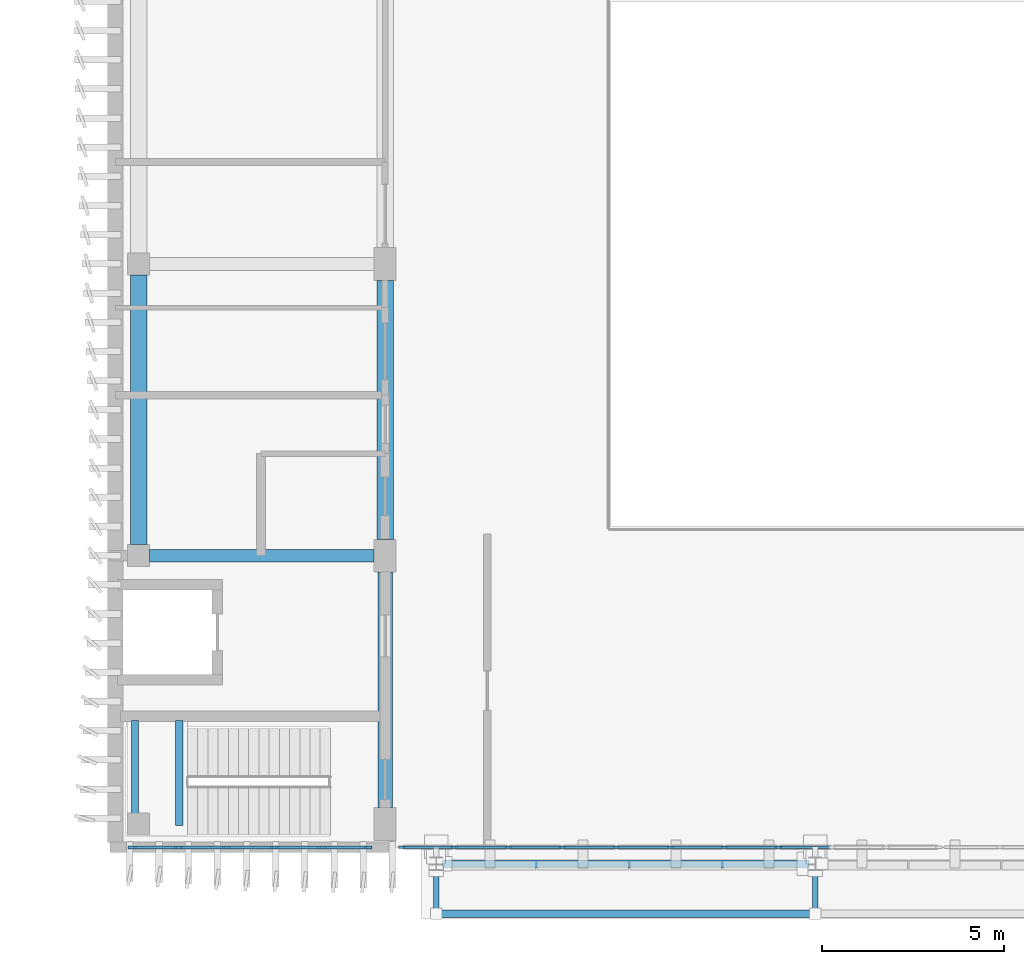
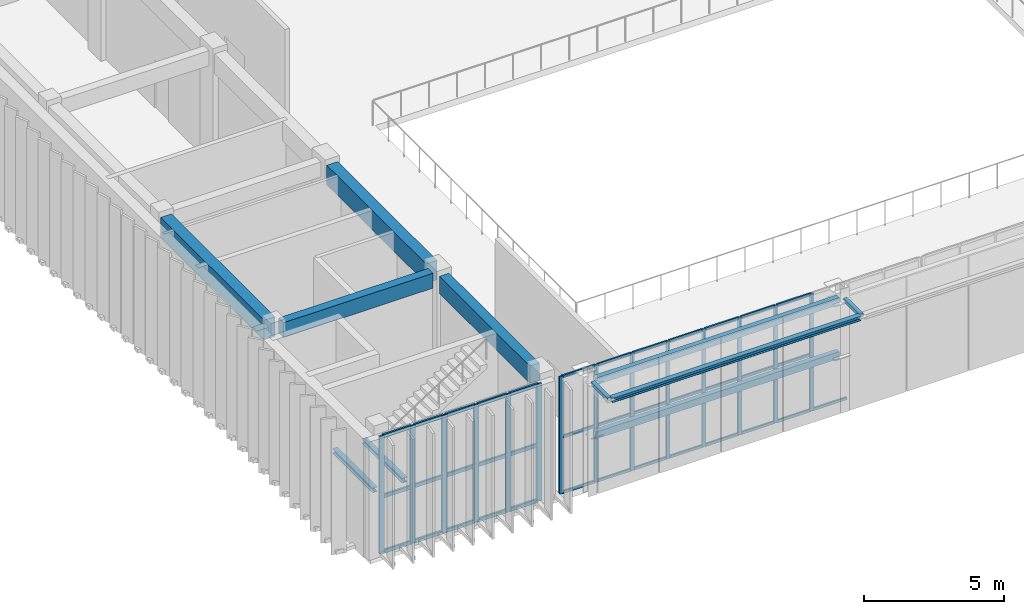
# One storey, part 4 of 64: 55 members, 7 beams, 2 elements without a shape of their own.
"""IFC4 building model written with IfcOpenShell, lengths in metres."""

from ifc_helpers import new_model, si_unit, direction, frame, origin, origin_2d, place, context, subcontext, project, spatial, rectangle, hollow_rectangle, i_section, extrude, material, layer, layer_set, material_profile, profile_set, type_object, element, aggregate, save


model = new_model("IFC4")

# Units and contexts
model_context = context("Model", 3, precision=1e-05, world=origin(), true_north=direction((0.0, 1.0)))
body_context = subcontext(model_context, "Body", "Model", "MODEL_VIEW")
ifc_project = project(units=[si_unit("LENGTHUNIT", "METRE"), si_unit("AREAUNIT", "SQUARE_METRE"), si_unit("VOLUMEUNIT", "CUBIC_METRE"), si_unit("PLANEANGLEUNIT", "RADIAN"), si_unit("MASSUNIT", "GRAM", prefix="KILO")], contexts=[model_context])

# Site, building, storey
site_placement = place(None, origin())
site = spatial("IfcSite", under=ifc_project, at=site_placement, CompositionType="ELEMENT")
building_placement = place(site_placement, origin())
building = spatial("IfcBuilding", under=site, at=building_placement, Name="Cinchona Park Media Centre", CompositionType="ELEMENT")
storey_placement = place(building_placement, frame((0.0, 0.0, 10.199951171875)))
storey = spatial("IfcBuildingStorey", under=building, at=storey_placement, Name="L02", CompositionType="ELEMENT", Elevation=10.199951171875)

# Beams
ifc_material_1 = material(Name="Concrete C35/45", Category="concrete")
ifc_material_profile_1 = material_profile(ifc_material_1, rectangle(XDim=0.39990234375, YDim=0.75, at=origin_2d()), Name="RB 400X750")
ifc_profile_set_1 = profile_set([ifc_material_profile_1], Name="Concrete C35/45")
beam_type_1 = type_object("IfcBeamType", Name="BEAM-B01-RB400X750", PredefinedType="BEAM", material=ifc_profile_set_1)
beam_1_placement = place(storey_placement, frame((15.39990234375, 8.68994140625, 4.78515625), z_axis=(0.0, 1.0, 0.0), x_axis=(-1.0, 0.0, 0.0)))
element("IfcBeam", 1, at=beam_1_placement, inside=storey, type_object=beam_type_1, Name="Girder B01 L02", PredefinedType="BEAM", context=body_context, shape_type="SweptSolid", body=[
    extrude(rectangle(XDim=0.39990234375, YDim=0.75, at=origin_2d()), origin(), (0.0, 0.0, 1.0), 6.4599609375),
])
ifc_material_2 = material(Name="Concrete C35/45", Category="concrete")
ifc_material_profile_2 = material_profile(ifc_material_2, rectangle(XDim=0.449951171875, YDim=0.85009765625, at=origin_2d()), Name="RB 450X850")
ifc_profile_set_2 = profile_set([ifc_material_profile_2], Name="Concrete C35/45")
beam_type_2 = type_object("IfcBeamType", Name="BEAM-B02-RB450X850", PredefinedType="BEAM", material=ifc_profile_set_2)
beam_2_placement = place(storey_placement, frame((8.639892578125, 15.89990234375, 4.735107421875), z_axis=(0.0, 1.0, 0.0), x_axis=(-1.0, 0.0, 0.0)))
element("IfcBeam", 2, at=beam_2_placement, inside=storey, type_object=beam_type_2, Name="Girder B02 L02", PredefinedType="BEAM", context=body_context, shape_type="SweptSolid", body=[
    extrude(rectangle(XDim=0.449951171875, YDim=0.85009765625, at=origin_2d()), origin(), (0.0, 0.0, 1.0), 7.400146484375),
])
beam_3_placement = place(storey_placement, frame((15.39990234375, 16.050048828125, 4.735107421875), z_axis=(0.0, 1.0, 0.0), x_axis=(-1.0, 0.0, 0.0)))
element("IfcBeam", 3, at=beam_3_placement, inside=storey, type_object=beam_type_2, Name="Girder B02 L02", PredefinedType="BEAM", context=body_context, shape_type="SweptSolid", body=[
    extrude(rectangle(XDim=0.449951171875, YDim=0.85009765625, at=origin_2d()), origin(), (0.0, 0.0, 1.0), 7.099853515625),
])
ifc_material_3 = material(Name="Concrete C35/45", Category="concrete")
ifc_material_profile_3 = material_profile(ifc_material_3, rectangle(XDim=0.35009765625, YDim=0.64990234375, at=origin_2d()), Name="RB 350X650")
ifc_profile_set_3 = profile_set([ifc_material_profile_3], Name="Concrete C35/45")
beam_type_3 = type_object("IfcBeamType", Name="BEAM-B04-RB350X650", PredefinedType="BEAM", material=ifc_profile_set_3)
beam_4_placement = place(storey_placement, frame((8.93994140625, 15.60009765625, 4.8349609375), z_axis=(1.0, 0.0, 0.0), x_axis=(0.0, 1.0, 0.0)))
element("IfcBeam", 4, at=beam_4_placement, inside=storey, type_object=beam_type_3, Name="Beam B04 L02", PredefinedType="BEAM", context=body_context, shape_type="SweptSolid", body=[
    extrude(rectangle(XDim=0.35009765625, YDim=0.64990234375, at=origin_2d()), origin(), (0.0, 0.0, 1.0), 6.16015625),
])
ifc_material_4 = material(Name="Steel S355", Category="steel")
ifc_material_profile_4 = material_profile(ifc_material_4, i_section(OverallWidth=0.202880859375, OverallDepth=0.202880859375, WebThickness=0.007080078125, FlangeThickness=0.010986328125, at=origin_2d()), Name="W200X46")
ifc_profile_set_4 = profile_set([ifc_material_profile_4], Name="Steel S355")
beam_type_4 = type_object("IfcBeamType", Name="BEAM-B10-W200X46", PredefinedType="BEAM", material=ifc_profile_set_4)
beam_5_placement = place(storey_placement, frame((16.8798828125, 5.780029296875, 4.89794921875), z_axis=(1.0, 0.0, 0.0), x_axis=(0.0, 1.0, 0.0)))
element("IfcBeam", 5, at=beam_5_placement, inside=storey, type_object=beam_type_4, Name="Screen Canopy Front Fascia Beam B10 L02", PredefinedType="BEAM", context=body_context, shape_type="SweptSolid", body=[
    extrude(i_section(OverallWidth=0.202880859375, OverallDepth=0.202880859375, WebThickness=0.007080078125, FlangeThickness=0.010986328125, at=origin_2d()), origin(), (0.0, 0.0, 1.0), 10.240234375),
])
for number, where, z_axis, x_axis, name in (
    (6, (8.5400390625, 11.074951171875, 2.3935546875), (0.0, -1.0, 0.0), (1.0, 0.0, 0.0), "Stair Landing Bearer Beam B10 ST6 L02"),
    (7, (9.760009765625, 11.074951171875, 2.3935546875), (0.0, -1.0, 0.0), (1.0, 0.0, 0.0), "Stair Landing Bearer Beam B10 ST6 L02"),
):
    element("IfcBeam", number, at=place(storey_placement, frame(where, z_axis=z_axis, x_axis=x_axis)), inside=storey, type_object=beam_type_4, Name=name, PredefinedType="BEAM", context=body_context, shape_type="SweptSolid", body=[
        extrude(i_section(OverallWidth=0.202880859375, OverallDepth=0.202880859375, WebThickness=0.007080078125, FlangeThickness=0.010986328125, at=origin_2d()), origin(), (0.0, 0.0, 1.0), 2.875),
    ])

# Members
ifc_material_5 = material(Name="Steel S355", Category="steel")
ifc_material_profile_5 = material_profile(ifc_material_5, hollow_rectangle(XDim=0.14990234375, YDim=0.14990234375, WallThickness=0.010009765625, at=origin_2d()), Name="150X150X10SHS")
ifc_profile_set_5 = profile_set([ifc_material_profile_5], Name="Steel S355")
member_type_1 = type_object("IfcMemberType", Name="MEMBER-TS03-SHS150X150X10", PredefinedType="STRUT", material=ifc_profile_set_5)
for number, where, z_axis, x_axis, name in (
    (8, (16.800048828125, 5.780029296875, 4.925048828125), (0.0, 1.0, 0.0), (-1.0, 0.0, 0.0), "Screen Canopy Outrigger Strut TS03 L02"),
    (9, (27.199951171875, 5.780029296875, 4.925048828125), (0.0, 1.0, 0.0), (-1.0, 0.0, 0.0), "Screen Canopy Outrigger Strut TS03 L02"),
):
    element("IfcMember", number, at=place(storey_placement, frame(where, z_axis=z_axis, x_axis=x_axis)), inside=storey, type_object=member_type_1, Name=name, PredefinedType="STRUT", context=body_context, shape_type="SweptSolid", body=[
        extrude(hollow_rectangle(XDim=0.14990234375, YDim=0.14990234375, WallThickness=0.010009765625, at=origin_2d()), origin(), (0.0, 0.0, 1.0), 1.179931640625),
    ])
ifc_material_6 = material(Name="Steel S355", Category="steel")
ifc_material_profile_6 = material_profile(ifc_material_6, hollow_rectangle(XDim=0.199951171875, YDim=0.300048828125, WallThickness=0.01611328125, at=origin_2d()), Name="300X200X16RHS")
ifc_profile_set_6 = profile_set([ifc_material_profile_6], Name="Steel S355")
member_type_2 = type_object("IfcMemberType", Name="MEMBER-TS05-RHS300X200X16", PredefinedType="STRUT", material=ifc_profile_set_6)
for number, where, z_axis, x_axis, name in (
    (10, (16.97998046875, 7.14990234375, 2.5), (1.0, 0.0, 0.0), (0.0, 1.0, 0.0), "Entrance Screen Portal Member TS05 L02"),
    (11, (16.97998046875, 7.14990234375, 4.85009765625), (1.0, 0.0, 0.0), (0.0, 1.0, 0.0), "Entrance Screen Portal Member TS05 L02"),
):
    element("IfcMember", number, at=place(storey_placement, frame(where, z_axis=z_axis, x_axis=x_axis)), inside=storey, type_object=member_type_2, Name=name, PredefinedType="STRUT", context=body_context, shape_type="SweptSolid", body=[
        extrude(hollow_rectangle(XDim=0.199951171875, YDim=0.300048828125, WallThickness=0.01611328125, at=origin_2d()), origin(), (0.0, 0.0, 1.0), 10.0400390625),
    ])

# Curtain wall, members
ifc_material_7 = material(Name="Aluminium Curtain Wall Framing", Category="aluminium")
ifc_layer_1 = layer(ifc_material_7, 0.284912109375)
ifc_layer_set_1 = layer_set([ifc_layer_1], Name="Aluminium Curtain Wall Framing")
curtain_wall_type_1 = type_object("IfcCurtainWallType", Name="CW-CW08", PredefinedType="USERDEFINED", material=ifc_layer_set_1)
curtain_wall_1_placement = place(storey_placement, origin())
curtain_wall_1 = element("IfcCurtainWall", 12, at=curtain_wall_1_placement, inside=storey, type_object=curtain_wall_type_1, Name="Curtain Wall CW08 L02", ObjectType="UNITISED CURTAIN WALL", PredefinedType="USERDEFINED")
ifc_material_8 = material(Name="Anodised Aluminium Alloy 6063-T6", Category="aluminium")
ifc_material_profile_7 = material_profile(ifc_material_8, rectangle(XDim=0.06494140625, YDim=0.159912109375, at=origin_2d()), Name="MUL-65X160")
ifc_profile_set_7 = profile_set([ifc_material_profile_7], Name="Anodised Aluminium Alloy 6063-T6")
member_type_3 = type_object("IfcMemberType", Name="MULLION-MUL01", PredefinedType="MULLION", material=ifc_profile_set_7)
member_1_placement = place(storey_placement, frame((26.179931640625, 7.60009765625, 0.050048828125), z_axis=(0.0, 0.0, 1.0), x_axis=(0.0, -1.0, 0.0)))
member_1 = element("IfcMember", 13, at=member_1_placement, type_object=member_type_3, Name="CW08 mullion 4", PredefinedType="MULLION", context=body_context, shape_type="SweptSolid", body=[
    extrude(rectangle(XDim=0.06494140625, YDim=0.159912109375, at=origin_2d()), origin(), (0.0, 0.0, 1.0), 5.110107421875),
])
member_2_placement = place(storey_placement, frame((24.699951171875, 7.60009765625, 0.050048828125), z_axis=(0.0, 0.0, 1.0), x_axis=(0.0, -1.0, 0.0)))
member_2 = element("IfcMember", 14, at=member_2_placement, type_object=member_type_3, Name="CW08 mullion 5", PredefinedType="MULLION", context=body_context, shape_type="SweptSolid", body=[
    extrude(rectangle(XDim=0.06494140625, YDim=0.159912109375, at=origin_2d()), origin(), (0.0, 0.0, 1.0), 5.110107421875),
])
member_3_placement = place(storey_placement, frame((23.219970703125, 7.60009765625, 0.050048828125), z_axis=(0.0, 0.0, 1.0), x_axis=(0.0, -1.0, 0.0)))
member_3 = element("IfcMember", 15, at=member_3_placement, type_object=member_type_3, Name="CW08 mullion 6", PredefinedType="MULLION", context=body_context, shape_type="SweptSolid", body=[
    extrude(rectangle(XDim=0.06494140625, YDim=0.159912109375, at=origin_2d()), origin(), (0.0, 0.0, 1.0), 5.110107421875),
])
member_4_placement = place(storey_placement, frame((21.739990234375, 7.60009765625, 0.050048828125), z_axis=(0.0, 0.0, 1.0), x_axis=(0.0, -1.0, 0.0)))
member_4 = element("IfcMember", 16, at=member_4_placement, type_object=member_type_3, Name="CW08 mullion 7", PredefinedType="MULLION", context=body_context, shape_type="SweptSolid", body=[
    extrude(rectangle(XDim=0.06494140625, YDim=0.159912109375, at=origin_2d()), origin(), (0.0, 0.0, 1.0), 5.110107421875),
])
member_5_placement = place(storey_placement, frame((20.260009765625, 7.60009765625, 0.050048828125), z_axis=(0.0, 0.0, 1.0), x_axis=(0.0, -1.0, 0.0)))
member_5 = element("IfcMember", 17, at=member_5_placement, type_object=member_type_3, Name="CW08 mullion 8", PredefinedType="MULLION", context=body_context, shape_type="SweptSolid", body=[
    extrude(rectangle(XDim=0.06494140625, YDim=0.159912109375, at=origin_2d()), origin(), (0.0, 0.0, 1.0), 5.110107421875),
])
member_6_placement = place(storey_placement, frame((18.780029296875, 7.60009765625, 0.050048828125), z_axis=(0.0, 0.0, 1.0), x_axis=(0.0, -1.0, 0.0)))
member_6 = element("IfcMember", 18, at=member_6_placement, type_object=member_type_3, Name="CW08 mullion 9", PredefinedType="MULLION", context=body_context, shape_type="SweptSolid", body=[
    extrude(rectangle(XDim=0.06494140625, YDim=0.159912109375, at=origin_2d()), origin(), (0.0, 0.0, 1.0), 5.110107421875),
])
member_7_placement = place(storey_placement, frame((17.300048828125, 7.60009765625, 0.050048828125), z_axis=(0.0, 0.0, 1.0), x_axis=(0.0, -1.0, 0.0)))
member_7 = element("IfcMember", 19, at=member_7_placement, type_object=member_type_3, Name="CW08 mullion 10", PredefinedType="MULLION", context=body_context, shape_type="SweptSolid", body=[
    extrude(rectangle(XDim=0.06494140625, YDim=0.159912109375, at=origin_2d()), origin(), (0.0, 0.0, 1.0), 5.110107421875),
])
member_8_placement = place(storey_placement, frame((15.8525390625, 7.60009765625, 0.050048828125), z_axis=(0.0, 0.0, 1.0), x_axis=(0.0, -1.0, 0.0)))
member_8 = element("IfcMember", 20, at=member_8_placement, type_object=member_type_3, Name="CW08 mullion 11", PredefinedType="MULLION", context=body_context, shape_type="SweptSolid", body=[
    extrude(rectangle(XDim=0.06494140625, YDim=0.159912109375, at=origin_2d()), origin(), (0.0, 0.0, 1.0), 5.110107421875),
])

ifc_material_9 = material(Name="Aluminium Curtain Wall Framing", Category="aluminium")
ifc_layer_2 = layer(ifc_material_9, 0.2548828125)
ifc_layer_set_2 = layer_set([ifc_layer_2], Name="Aluminium Curtain Wall Framing")
curtain_wall_type_2 = type_object("IfcCurtainWallType", Name="CW-CW06", PredefinedType="USERDEFINED", material=ifc_layer_set_2)
curtain_wall_2_placement = place(storey_placement, origin())
curtain_wall_2 = element("IfcCurtainWall", 21, at=curtain_wall_2_placement, inside=storey, type_object=curtain_wall_type_2, Name="Curtain Wall CW06 L02", ObjectType="UNITISED CURTAIN WALL", PredefinedType="USERDEFINED")
ifc_material_10 = material(Name="Anodised Aluminium Alloy 6063-T6", Category="aluminium")
ifc_material_profile_8 = material_profile(ifc_material_10, rectangle(XDim=0.074951171875, YDim=0.2099609375, at=origin_2d()), Name="MUL-75X210")
ifc_profile_set_8 = profile_set([ifc_material_profile_8], Name="Anodised Aluminium Alloy 6063-T6")
member_type_4 = type_object("IfcMemberType", Name="MULLION-MUL03", PredefinedType="MULLION", material=ifc_profile_set_8)
member_9_placement = place(storey_placement, frame((14.9423828125, 7.60009765625, 0.050048828125), z_axis=(0.0, 0.0, 1.0), x_axis=(0.0, -1.0, 0.0)))
member_9 = element("IfcMember", 22, at=member_9_placement, type_object=member_type_4, Name="CW06 mullion 1", PredefinedType="MULLION", context=body_context, shape_type="SweptSolid", body=[
    extrude(rectangle(XDim=0.074951171875, YDim=0.2099609375, at=origin_2d()), origin(), (0.0, 0.0, 1.0), 5.110107421875),
])
member_10_placement = place(storey_placement, frame((13.66796875, 7.60009765625, 0.050048828125), z_axis=(0.0, 0.0, 1.0), x_axis=(0.0, -1.0, 0.0)))
member_10 = element("IfcMember", 23, at=member_10_placement, type_object=member_type_4, Name="CW06 mullion 2", PredefinedType="MULLION", context=body_context, shape_type="SweptSolid", body=[
    extrude(rectangle(XDim=0.074951171875, YDim=0.2099609375, at=origin_2d()), origin(), (0.0, 0.0, 1.0), 5.110107421875),
])
member_11_placement = place(storey_placement, frame((12.35595703125, 7.60009765625, 0.050048828125), z_axis=(0.0, 0.0, 1.0), x_axis=(0.0, -1.0, 0.0)))
member_11 = element("IfcMember", 24, at=member_11_placement, type_object=member_type_4, Name="CW06 mullion 3", PredefinedType="MULLION", context=body_context, shape_type="SweptSolid", body=[
    extrude(rectangle(XDim=0.074951171875, YDim=0.2099609375, at=origin_2d()), origin(), (0.0, 0.0, 1.0), 5.110107421875),
])
member_12_placement = place(storey_placement, frame((11.0439453125, 7.60009765625, 0.050048828125), z_axis=(0.0, 0.0, 1.0), x_axis=(0.0, -1.0, 0.0)))
member_12 = element("IfcMember", 25, at=member_12_placement, type_object=member_type_4, Name="CW06 mullion 4", PredefinedType="MULLION", context=body_context, shape_type="SweptSolid", body=[
    extrude(rectangle(XDim=0.074951171875, YDim=0.2099609375, at=origin_2d()), origin(), (0.0, 0.0, 1.0), 5.110107421875),
])
member_13_placement = place(storey_placement, frame((9.73193359375, 7.60009765625, 0.050048828125), z_axis=(0.0, 0.0, 1.0), x_axis=(0.0, -1.0, 0.0)))
member_13 = element("IfcMember", 26, at=member_13_placement, type_object=member_type_4, Name="CW06 mullion 5", PredefinedType="MULLION", context=body_context, shape_type="SweptSolid", body=[
    extrude(rectangle(XDim=0.074951171875, YDim=0.2099609375, at=origin_2d()), origin(), (0.0, 0.0, 1.0), 5.110107421875),
])
member_14_placement = place(storey_placement, frame((8.45751953125, 7.60009765625, 0.050048828125), z_axis=(0.0, 0.0, 1.0), x_axis=(0.0, -1.0, 0.0)))
member_14 = element("IfcMember", 27, at=member_14_placement, type_object=member_type_4, Name="CW06 mullion 6", PredefinedType="MULLION", context=body_context, shape_type="SweptSolid", body=[
    extrude(rectangle(XDim=0.074951171875, YDim=0.2099609375, at=origin_2d()), origin(), (0.0, 0.0, 1.0), 5.110107421875),
])

# Member
ifc_material_11 = material(Name="Anodised Aluminium Alloy 6063-T6", Category="aluminium")
ifc_material_profile_9 = material_profile(ifc_material_11, rectangle(XDim=0.06494140625, YDim=0.1201171875, at=origin_2d()), Name="TRN-65X120")
ifc_profile_set_9 = profile_set([ifc_material_profile_9], Name="Anodised Aluminium Alloy 6063-T6")
member_type_5 = type_object("IfcMemberType", Name="TRANSOM-TRN01", PredefinedType="USERDEFINED", material=ifc_profile_set_9)
member_15_placement = place(storey_placement, frame((27.62744140625, 7.60009765625, 0.08251953125), z_axis=(-1.0, 0.0, 0.0), x_axis=(0.0, -1.0, 0.0)))
member_15 = element("IfcMember", 28, at=member_15_placement, type_object=member_type_5, Name="CW08 transom 3.1", ObjectType="TRANSOM", PredefinedType="USERDEFINED", context=body_context, shape_type="SweptSolid", body=[
    extrude(rectangle(XDim=0.06494140625, YDim=0.1201171875, at=origin_2d()), origin(), (0.0, 0.0, 1.0), 1.4150390625),
])

member_16_placement = place(storey_placement, frame((26.1474609375, 7.60009765625, 0.08251953125), z_axis=(-1.0, 0.0, 0.0), x_axis=(0.0, -1.0, 0.0)))
member_16 = element("IfcMember", 29, at=member_16_placement, type_object=member_type_5, Name="CW08 transom 4.1", ObjectType="TRANSOM", PredefinedType="USERDEFINED", context=body_context, shape_type="SweptSolid", body=[
    extrude(rectangle(XDim=0.06494140625, YDim=0.1201171875, at=origin_2d()), origin(), (0.0, 0.0, 1.0), 1.4150390625),
])

member_17_placement = place(storey_placement, frame((26.1474609375, 7.60009765625, 2.5029296875), z_axis=(-1.0, 0.0, 0.0), x_axis=(0.0, -1.0, 0.0)))
member_17 = element("IfcMember", 30, at=member_17_placement, type_object=member_type_5, Name="CW08 transom 4.2", ObjectType="TRANSOM", PredefinedType="USERDEFINED", context=body_context, shape_type="SweptSolid", body=[
    extrude(rectangle(XDim=0.06494140625, YDim=0.1201171875, at=origin_2d()), origin(), (0.0, 0.0, 1.0), 1.4150390625),
])

member_18_placement = place(storey_placement, frame((26.1474609375, 7.60009765625, 5.12744140625), z_axis=(-1.0, 0.0, 0.0), x_axis=(0.0, -1.0, 0.0)))
member_18 = element("IfcMember", 31, at=member_18_placement, type_object=member_type_5, Name="CW08 transom 4.3", ObjectType="TRANSOM", PredefinedType="USERDEFINED", context=body_context, shape_type="SweptSolid", body=[
    extrude(rectangle(XDim=0.06494140625, YDim=0.1201171875, at=origin_2d()), origin(), (0.0, 0.0, 1.0), 1.4150390625),
])

member_19_placement = place(storey_placement, frame((24.66748046875, 7.60009765625, 0.08251953125), z_axis=(-1.0, 0.0, 0.0), x_axis=(0.0, -1.0, 0.0)))
member_19 = element("IfcMember", 32, at=member_19_placement, type_object=member_type_5, Name="CW08 transom 5.1", ObjectType="TRANSOM", PredefinedType="USERDEFINED", context=body_context, shape_type="SweptSolid", body=[
    extrude(rectangle(XDim=0.06494140625, YDim=0.1201171875, at=origin_2d()), origin(), (0.0, 0.0, 1.0), 1.4150390625),
])

member_20_placement = place(storey_placement, frame((24.66748046875, 7.60009765625, 2.5029296875), z_axis=(-1.0, 0.0, 0.0), x_axis=(0.0, -1.0, 0.0)))
member_20 = element("IfcMember", 33, at=member_20_placement, type_object=member_type_5, Name="CW08 transom 5.2", ObjectType="TRANSOM", PredefinedType="USERDEFINED", context=body_context, shape_type="SweptSolid", body=[
    extrude(rectangle(XDim=0.06494140625, YDim=0.1201171875, at=origin_2d()), origin(), (0.0, 0.0, 1.0), 1.4150390625),
])

member_21_placement = place(storey_placement, frame((24.66748046875, 7.60009765625, 5.12744140625), z_axis=(-1.0, 0.0, 0.0), x_axis=(0.0, -1.0, 0.0)))
member_21 = element("IfcMember", 34, at=member_21_placement, type_object=member_type_5, Name="CW08 transom 5.3", ObjectType="TRANSOM", PredefinedType="USERDEFINED", context=body_context, shape_type="SweptSolid", body=[
    extrude(rectangle(XDim=0.06494140625, YDim=0.1201171875, at=origin_2d()), origin(), (0.0, 0.0, 1.0), 1.4150390625),
])

member_22_placement = place(storey_placement, frame((23.1875, 7.60009765625, 0.08251953125), z_axis=(-1.0, 0.0, 0.0), x_axis=(0.0, -1.0, 0.0)))
member_22 = element("IfcMember", 35, at=member_22_placement, type_object=member_type_5, Name="CW08 transom 6.1", ObjectType="TRANSOM", PredefinedType="USERDEFINED", context=body_context, shape_type="SweptSolid", body=[
    extrude(rectangle(XDim=0.06494140625, YDim=0.1201171875, at=origin_2d()), origin(), (0.0, 0.0, 1.0), 1.4150390625),
])

member_23_placement = place(storey_placement, frame((23.1875, 7.60009765625, 2.5029296875), z_axis=(-1.0, 0.0, 0.0), x_axis=(0.0, -1.0, 0.0)))
member_23 = element("IfcMember", 36, at=member_23_placement, type_object=member_type_5, Name="CW08 transom 6.2", ObjectType="TRANSOM", PredefinedType="USERDEFINED", context=body_context, shape_type="SweptSolid", body=[
    extrude(rectangle(XDim=0.06494140625, YDim=0.1201171875, at=origin_2d()), origin(), (0.0, 0.0, 1.0), 1.4150390625),
])

member_24_placement = place(storey_placement, frame((23.1875, 7.60009765625, 5.12744140625), z_axis=(-1.0, 0.0, 0.0), x_axis=(0.0, -1.0, 0.0)))
member_24 = element("IfcMember", 37, at=member_24_placement, type_object=member_type_5, Name="CW08 transom 6.3", ObjectType="TRANSOM", PredefinedType="USERDEFINED", context=body_context, shape_type="SweptSolid", body=[
    extrude(rectangle(XDim=0.06494140625, YDim=0.1201171875, at=origin_2d()), origin(), (0.0, 0.0, 1.0), 1.4150390625),
])

member_25_placement = place(storey_placement, frame((21.70751953125, 7.60009765625, 0.08251953125), z_axis=(-1.0, 0.0, 0.0), x_axis=(0.0, -1.0, 0.0)))
member_25 = element("IfcMember", 38, at=member_25_placement, type_object=member_type_5, Name="CW08 transom 7.1", ObjectType="TRANSOM", PredefinedType="USERDEFINED", context=body_context, shape_type="SweptSolid", body=[
    extrude(rectangle(XDim=0.06494140625, YDim=0.1201171875, at=origin_2d()), origin(), (0.0, 0.0, 1.0), 1.4150390625),
])

member_26_placement = place(storey_placement, frame((21.70751953125, 7.60009765625, 2.5029296875), z_axis=(-1.0, 0.0, 0.0), x_axis=(0.0, -1.0, 0.0)))
member_26 = element("IfcMember", 39, at=member_26_placement, type_object=member_type_5, Name="CW08 transom 7.2", ObjectType="TRANSOM", PredefinedType="USERDEFINED", context=body_context, shape_type="SweptSolid", body=[
    extrude(rectangle(XDim=0.06494140625, YDim=0.1201171875, at=origin_2d()), origin(), (0.0, 0.0, 1.0), 1.4150390625),
])

member_27_placement = place(storey_placement, frame((21.70751953125, 7.60009765625, 5.12744140625), z_axis=(-1.0, 0.0, 0.0), x_axis=(0.0, -1.0, 0.0)))
member_27 = element("IfcMember", 40, at=member_27_placement, type_object=member_type_5, Name="CW08 transom 7.3", ObjectType="TRANSOM", PredefinedType="USERDEFINED", context=body_context, shape_type="SweptSolid", body=[
    extrude(rectangle(XDim=0.06494140625, YDim=0.1201171875, at=origin_2d()), origin(), (0.0, 0.0, 1.0), 1.4150390625),
])

member_28_placement = place(storey_placement, frame((20.2275390625, 7.60009765625, 0.08251953125), z_axis=(-1.0, 0.0, 0.0), x_axis=(0.0, -1.0, 0.0)))
member_28 = element("IfcMember", 41, at=member_28_placement, type_object=member_type_5, Name="CW08 transom 8.1", ObjectType="TRANSOM", PredefinedType="USERDEFINED", context=body_context, shape_type="SweptSolid", body=[
    extrude(rectangle(XDim=0.06494140625, YDim=0.1201171875, at=origin_2d()), origin(), (0.0, 0.0, 1.0), 1.4150390625),
])

member_29_placement = place(storey_placement, frame((20.2275390625, 7.60009765625, 2.5029296875), z_axis=(-1.0, 0.0, 0.0), x_axis=(0.0, -1.0, 0.0)))
member_29 = element("IfcMember", 42, at=member_29_placement, type_object=member_type_5, Name="CW08 transom 8.2", ObjectType="TRANSOM", PredefinedType="USERDEFINED", context=body_context, shape_type="SweptSolid", body=[
    extrude(rectangle(XDim=0.06494140625, YDim=0.1201171875, at=origin_2d()), origin(), (0.0, 0.0, 1.0), 1.4150390625),
])

member_30_placement = place(storey_placement, frame((20.2275390625, 7.60009765625, 5.12744140625), z_axis=(-1.0, 0.0, 0.0), x_axis=(0.0, -1.0, 0.0)))
member_30 = element("IfcMember", 43, at=member_30_placement, type_object=member_type_5, Name="CW08 transom 8.3", ObjectType="TRANSOM", PredefinedType="USERDEFINED", context=body_context, shape_type="SweptSolid", body=[
    extrude(rectangle(XDim=0.06494140625, YDim=0.1201171875, at=origin_2d()), origin(), (0.0, 0.0, 1.0), 1.4150390625),
])

member_31_placement = place(storey_placement, frame((18.74755859375, 7.60009765625, 0.08251953125), z_axis=(-1.0, 0.0, 0.0), x_axis=(0.0, -1.0, 0.0)))
member_31 = element("IfcMember", 44, at=member_31_placement, type_object=member_type_5, Name="CW08 transom 9.1", ObjectType="TRANSOM", PredefinedType="USERDEFINED", context=body_context, shape_type="SweptSolid", body=[
    extrude(rectangle(XDim=0.06494140625, YDim=0.1201171875, at=origin_2d()), origin(), (0.0, 0.0, 1.0), 1.4150390625),
])

member_32_placement = place(storey_placement, frame((18.74755859375, 7.60009765625, 2.5029296875), z_axis=(-1.0, 0.0, 0.0), x_axis=(0.0, -1.0, 0.0)))
member_32 = element("IfcMember", 45, at=member_32_placement, type_object=member_type_5, Name="CW08 transom 9.2", ObjectType="TRANSOM", PredefinedType="USERDEFINED", context=body_context, shape_type="SweptSolid", body=[
    extrude(rectangle(XDim=0.06494140625, YDim=0.1201171875, at=origin_2d()), origin(), (0.0, 0.0, 1.0), 1.4150390625),
])

member_33_placement = place(storey_placement, frame((18.74755859375, 7.60009765625, 5.12744140625), z_axis=(-1.0, 0.0, 0.0), x_axis=(0.0, -1.0, 0.0)))
member_33 = element("IfcMember", 46, at=member_33_placement, type_object=member_type_5, Name="CW08 transom 9.3", ObjectType="TRANSOM", PredefinedType="USERDEFINED", context=body_context, shape_type="SweptSolid", body=[
    extrude(rectangle(XDim=0.06494140625, YDim=0.1201171875, at=origin_2d()), origin(), (0.0, 0.0, 1.0), 1.4150390625),
])

member_34_placement = place(storey_placement, frame((17.267578125, 7.60009765625, 0.08251953125), z_axis=(-1.0, 0.0, 0.0), x_axis=(0.0, -1.0, 0.0)))
member_34 = element("IfcMember", 47, at=member_34_placement, type_object=member_type_5, Name="CW08 transom 10.1", ObjectType="TRANSOM", PredefinedType="USERDEFINED", context=body_context, shape_type="SweptSolid", body=[
    extrude(rectangle(XDim=0.06494140625, YDim=0.1201171875, at=origin_2d()), origin(), (0.0, 0.0, 1.0), 1.382568359375),
])

member_35_placement = place(storey_placement, frame((17.267578125, 7.60009765625, 2.5029296875), z_axis=(-1.0, 0.0, 0.0), x_axis=(0.0, -1.0, 0.0)))
member_35 = element("IfcMember", 48, at=member_35_placement, type_object=member_type_5, Name="CW08 transom 10.2", ObjectType="TRANSOM", PredefinedType="USERDEFINED", context=body_context, shape_type="SweptSolid", body=[
    extrude(rectangle(XDim=0.06494140625, YDim=0.1201171875, at=origin_2d()), origin(), (0.0, 0.0, 1.0), 1.382568359375),
])

member_36_placement = place(storey_placement, frame((17.267578125, 7.60009765625, 5.12744140625), z_axis=(-1.0, 0.0, 0.0), x_axis=(0.0, -1.0, 0.0)))
member_36 = element("IfcMember", 49, at=member_36_placement, type_object=member_type_5, Name="CW08 transom 10.3", ObjectType="TRANSOM", PredefinedType="USERDEFINED", context=body_context, shape_type="SweptSolid", body=[
    extrude(rectangle(XDim=0.06494140625, YDim=0.1201171875, at=origin_2d()), origin(), (0.0, 0.0, 1.0), 1.382568359375),
])

aggregate(curtain_wall_1, [member_1, member_2, member_3, member_4, member_5, member_6, member_7, member_8, member_15, member_16, member_17, member_18, member_19, member_20, member_21, member_22, member_23, member_24, member_25, member_26, member_27, member_28, member_29, member_30, member_31, member_32, member_33, member_34, member_35, member_36])

ifc_material_12 = material(Name="Anodised Aluminium Alloy 6063-T6", Category="aluminium")
ifc_material_profile_10 = material_profile(ifc_material_12, rectangle(XDim=0.074951171875, YDim=0.159912109375, at=origin_2d()), Name="TRN-75X160")
ifc_profile_set_10 = profile_set([ifc_material_profile_10], Name="Anodised Aluminium Alloy 6063-T6")
member_type_6 = type_object("IfcMemberType", Name="TRANSOM-TRN03", PredefinedType="USERDEFINED", material=ifc_profile_set_10)
member_37_placement = place(storey_placement, frame((14.905029296875, 7.60009765625, 0.087646484375), z_axis=(-1.0, 0.0, 0.0), x_axis=(0.0, -1.0, 0.0)))
member_37 = element("IfcMember", 50, at=member_37_placement, type_object=member_type_6, Name="CW06 transom 1.1", ObjectType="TRANSOM", PredefinedType="USERDEFINED", context=body_context, shape_type="SweptSolid", body=[
    extrude(rectangle(XDim=0.074951171875, YDim=0.159912109375, at=origin_2d()), origin(), (0.0, 0.0, 1.0), 1.199462890625),
])

member_38_placement = place(storey_placement, frame((14.905029296875, 7.60009765625, 2.5029296875), z_axis=(-1.0, 0.0, 0.0), x_axis=(0.0, -1.0, 0.0)))
member_38 = element("IfcMember", 51, at=member_38_placement, type_object=member_type_6, Name="CW06 transom 1.2", ObjectType="TRANSOM", PredefinedType="USERDEFINED", context=body_context, shape_type="SweptSolid", body=[
    extrude(rectangle(XDim=0.074951171875, YDim=0.159912109375, at=origin_2d()), origin(), (0.0, 0.0, 1.0), 1.199462890625),
])

member_39_placement = place(storey_placement, frame((14.905029296875, 7.60009765625, 5.12255859375), z_axis=(-1.0, 0.0, 0.0), x_axis=(0.0, -1.0, 0.0)))
member_39 = element("IfcMember", 52, at=member_39_placement, type_object=member_type_6, Name="CW06 transom 1.3", ObjectType="TRANSOM", PredefinedType="USERDEFINED", context=body_context, shape_type="SweptSolid", body=[
    extrude(rectangle(XDim=0.074951171875, YDim=0.159912109375, at=origin_2d()), origin(), (0.0, 0.0, 1.0), 1.199462890625),
])

member_40_placement = place(storey_placement, frame((13.630615234375, 7.60009765625, 0.087646484375), z_axis=(-1.0, 0.0, 0.0), x_axis=(0.0, -1.0, 0.0)))
member_40 = element("IfcMember", 53, at=member_40_placement, type_object=member_type_6, Name="CW06 transom 2.1", ObjectType="TRANSOM", PredefinedType="USERDEFINED", context=body_context, shape_type="SweptSolid", body=[
    extrude(rectangle(XDim=0.074951171875, YDim=0.159912109375, at=origin_2d()), origin(), (0.0, 0.0, 1.0), 1.237060546875),
])

member_41_placement = place(storey_placement, frame((13.630615234375, 7.60009765625, 2.5029296875), z_axis=(-1.0, 0.0, 0.0), x_axis=(0.0, -1.0, 0.0)))
member_41 = element("IfcMember", 54, at=member_41_placement, type_object=member_type_6, Name="CW06 transom 2.2", ObjectType="TRANSOM", PredefinedType="USERDEFINED", context=body_context, shape_type="SweptSolid", body=[
    extrude(rectangle(XDim=0.074951171875, YDim=0.159912109375, at=origin_2d()), origin(), (0.0, 0.0, 1.0), 1.237060546875),
])

member_42_placement = place(storey_placement, frame((13.630615234375, 7.60009765625, 5.12255859375), z_axis=(-1.0, 0.0, 0.0), x_axis=(0.0, -1.0, 0.0)))
member_42 = element("IfcMember", 55, at=member_42_placement, type_object=member_type_6, Name="CW06 transom 2.3", ObjectType="TRANSOM", PredefinedType="USERDEFINED", context=body_context, shape_type="SweptSolid", body=[
    extrude(rectangle(XDim=0.074951171875, YDim=0.159912109375, at=origin_2d()), origin(), (0.0, 0.0, 1.0), 1.237060546875),
])

member_43_placement = place(storey_placement, frame((12.318603515625, 7.60009765625, 0.087646484375), z_axis=(-1.0, 0.0, 0.0), x_axis=(0.0, -1.0, 0.0)))
member_43 = element("IfcMember", 56, at=member_43_placement, type_object=member_type_6, Name="CW06 transom 3.1", ObjectType="TRANSOM", PredefinedType="USERDEFINED", context=body_context, shape_type="SweptSolid", body=[
    extrude(rectangle(XDim=0.074951171875, YDim=0.159912109375, at=origin_2d()), origin(), (0.0, 0.0, 1.0), 1.237060546875),
])

member_44_placement = place(storey_placement, frame((12.318603515625, 7.60009765625, 2.5029296875), z_axis=(-1.0, 0.0, 0.0), x_axis=(0.0, -1.0, 0.0)))
member_44 = element("IfcMember", 57, at=member_44_placement, type_object=member_type_6, Name="CW06 transom 3.2", ObjectType="TRANSOM", PredefinedType="USERDEFINED", context=body_context, shape_type="SweptSolid", body=[
    extrude(rectangle(XDim=0.074951171875, YDim=0.159912109375, at=origin_2d()), origin(), (0.0, 0.0, 1.0), 1.237060546875),
])

member_45_placement = place(storey_placement, frame((12.318603515625, 7.60009765625, 5.12255859375), z_axis=(-1.0, 0.0, 0.0), x_axis=(0.0, -1.0, 0.0)))
member_45 = element("IfcMember", 58, at=member_45_placement, type_object=member_type_6, Name="CW06 transom 3.3", ObjectType="TRANSOM", PredefinedType="USERDEFINED", context=body_context, shape_type="SweptSolid", body=[
    extrude(rectangle(XDim=0.074951171875, YDim=0.159912109375, at=origin_2d()), origin(), (0.0, 0.0, 1.0), 1.237060546875),
])

member_46_placement = place(storey_placement, frame((11.006591796875, 7.60009765625, 0.087646484375), z_axis=(-1.0, 0.0, 0.0), x_axis=(0.0, -1.0, 0.0)))
member_46 = element("IfcMember", 59, at=member_46_placement, type_object=member_type_6, Name="CW06 transom 4.1", ObjectType="TRANSOM", PredefinedType="USERDEFINED", context=body_context, shape_type="SweptSolid", body=[
    extrude(rectangle(XDim=0.074951171875, YDim=0.159912109375, at=origin_2d()), origin(), (0.0, 0.0, 1.0), 1.237060546875),
])

member_47_placement = place(storey_placement, frame((11.006591796875, 7.60009765625, 2.5029296875), z_axis=(-1.0, 0.0, 0.0), x_axis=(0.0, -1.0, 0.0)))
member_47 = element("IfcMember", 60, at=member_47_placement, type_object=member_type_6, Name="CW06 transom 4.2", ObjectType="TRANSOM", PredefinedType="USERDEFINED", context=body_context, shape_type="SweptSolid", body=[
    extrude(rectangle(XDim=0.074951171875, YDim=0.159912109375, at=origin_2d()), origin(), (0.0, 0.0, 1.0), 1.237060546875),
])

member_48_placement = place(storey_placement, frame((11.006591796875, 7.60009765625, 5.12255859375), z_axis=(-1.0, 0.0, 0.0), x_axis=(0.0, -1.0, 0.0)))
member_48 = element("IfcMember", 61, at=member_48_placement, type_object=member_type_6, Name="CW06 transom 4.3", ObjectType="TRANSOM", PredefinedType="USERDEFINED", context=body_context, shape_type="SweptSolid", body=[
    extrude(rectangle(XDim=0.074951171875, YDim=0.159912109375, at=origin_2d()), origin(), (0.0, 0.0, 1.0), 1.237060546875),
])

member_49_placement = place(storey_placement, frame((9.694580078125, 7.60009765625, 0.087646484375), z_axis=(-1.0, 0.0, 0.0), x_axis=(0.0, -1.0, 0.0)))
member_49 = element("IfcMember", 62, at=member_49_placement, type_object=member_type_6, Name="CW06 transom 5.1", ObjectType="TRANSOM", PredefinedType="USERDEFINED", context=body_context, shape_type="SweptSolid", body=[
    extrude(rectangle(XDim=0.074951171875, YDim=0.159912109375, at=origin_2d()), origin(), (0.0, 0.0, 1.0), 1.199462890625),
])

member_50_placement = place(storey_placement, frame((9.694580078125, 7.60009765625, 2.5029296875), z_axis=(-1.0, 0.0, 0.0), x_axis=(0.0, -1.0, 0.0)))
member_50 = element("IfcMember", 63, at=member_50_placement, type_object=member_type_6, Name="CW06 transom 5.2", ObjectType="TRANSOM", PredefinedType="USERDEFINED", context=body_context, shape_type="SweptSolid", body=[
    extrude(rectangle(XDim=0.074951171875, YDim=0.159912109375, at=origin_2d()), origin(), (0.0, 0.0, 1.0), 1.199462890625),
])

member_51_placement = place(storey_placement, frame((9.694580078125, 7.60009765625, 5.12255859375), z_axis=(-1.0, 0.0, 0.0), x_axis=(0.0, -1.0, 0.0)))
member_51 = element("IfcMember", 64, at=member_51_placement, type_object=member_type_6, Name="CW06 transom 5.3", ObjectType="TRANSOM", PredefinedType="USERDEFINED", context=body_context, shape_type="SweptSolid", body=[
    extrude(rectangle(XDim=0.074951171875, YDim=0.159912109375, at=origin_2d()), origin(), (0.0, 0.0, 1.0), 1.199462890625),
])

aggregate(curtain_wall_2, [member_9, member_10, member_11, member_12, member_13, member_14, member_37, member_38, member_39, member_40, member_41, member_42, member_43, member_44, member_45, member_46, member_47, member_48, member_49, member_50, member_51])

save(model, "model.ifc")
